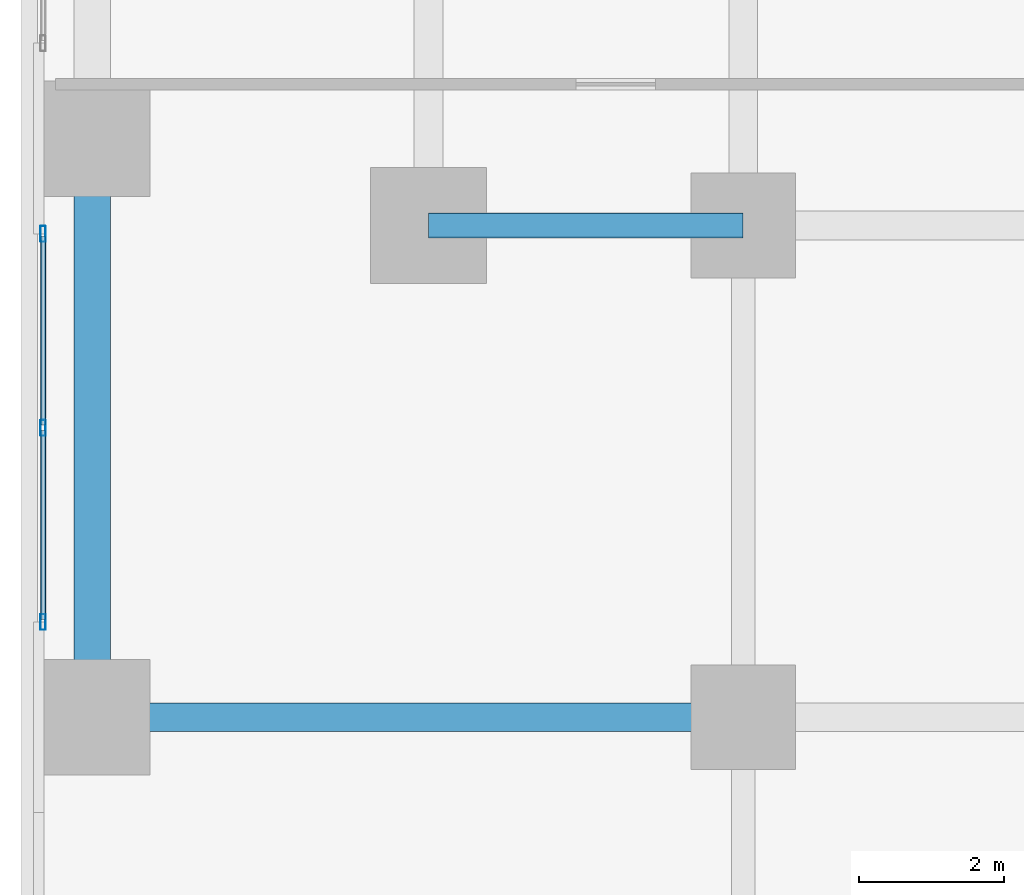
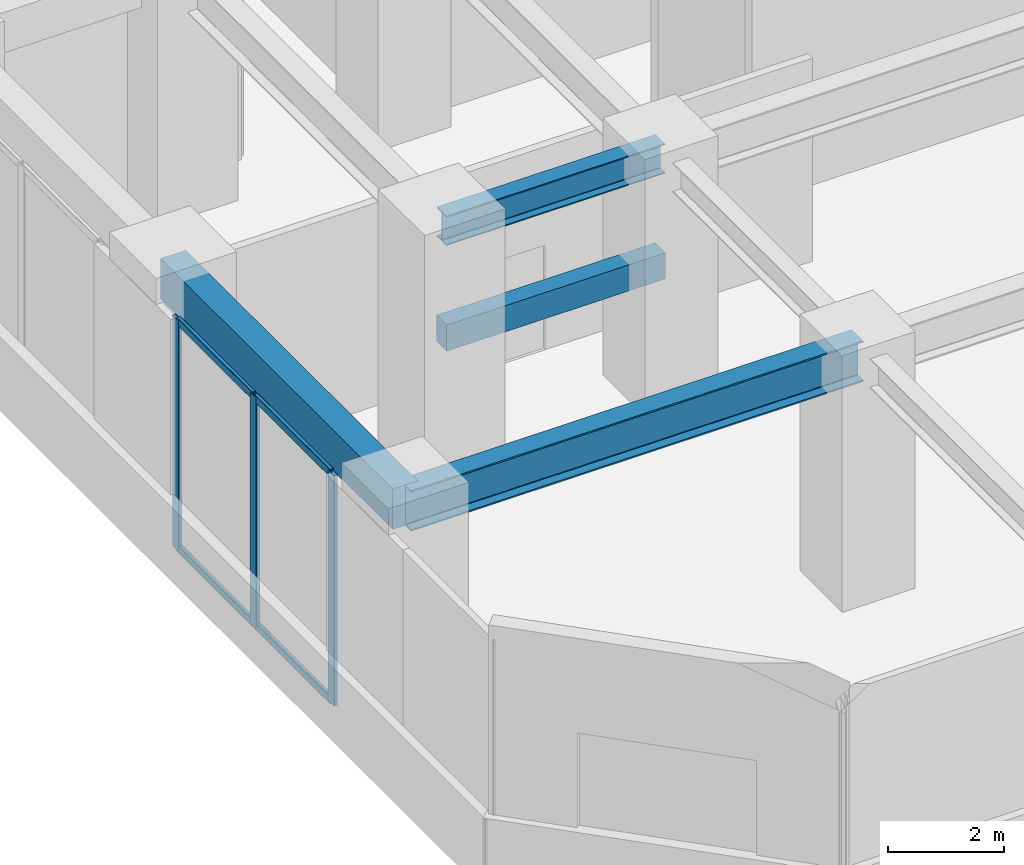
# One storey, part 3 of 33: 7 members, 4 beams, 1 element without a shape of its own.
"""IFC4 building model written with IfcOpenShell, lengths in metres."""

import ifcopenshell
import ifcopenshell.guid

model = None  # the IFC model being written
_history = None  # IfcOwnerHistory: only IFC2X3 demands one
_inside = {}  # id of a spatial element -> (the spatial element, [elements in it])
_under = {}  # id of a project, library or spatial element -> (it, [spatial elements below it])
_declared = {}  # id of a project -> (the project, [libraries it declares])
_typed = {}  # id of a type object -> (the type object, [elements of that type])
_made_of = {}  # id of a material, layer set ... -> (it, [elements and type objects made of it])


def new_model(schema):
    """Start an empty IFC model of exactly this schema.

    Asked for "IFC4X3", IfcOpenShell would pick the latest addendum, in which some entities
    have other attributes; the version numbers below select the first issue.
    IFC2X3 requires an IfcOwnerHistory on every rooted entity: one is made here for all.
    """
    global model, _history
    if schema == "IFC4X3":
        model = ifcopenshell.file(schema_version=(4, 3, 0, 0))
    else:
        model = ifcopenshell.file(schema=schema)
    _inside.clear()
    _under.clear()
    _declared.clear()
    _typed.clear()
    _made_of.clear()
    _history = None
    if model.schema == "IFC2X3":
        org = make("IfcOrganization", Name="unknown")
        user = make(
            "IfcPersonAndOrganization",
            ThePerson=make("IfcPerson", FamilyName="unknown"),
            TheOrganization=org,
        )
        app = make(
            "IfcApplication",
            ApplicationDeveloper=org,
            Version="unknown",
            ApplicationFullName="unknown",
            ApplicationIdentifier="unknown",
        )
        _history = make(
            "IfcOwnerHistory",
            OwningUser=user,
            OwningApplication=app,
            ChangeAction="ADDED",
            CreationDate=0,
        )
    return model


def make(cls, **values):
    """One entity of the class cls with the attributes given. An attribute that is None is left unset."""
    return model.create_entity(
        cls, **{name: value for name, value in values.items() if value is not None}
    )


def rooted(cls, **values):
    """An entity with a GlobalId (a new one), such as an element, a storey or a relation."""
    return make(cls, GlobalId=ifcopenshell.guid.new(), OwnerHistory=_history, **values)


def si_unit(unit_type, name, prefix=None):
    """IfcSIUnit, for example si_unit("LENGTHUNIT", "METRE", prefix="MILLI")."""
    return make("IfcSIUnit", UnitType=unit_type, Prefix=prefix, Name=name)


def assignment(units):
    """IfcUnitAssignment: the units of a project."""
    return None if units is None else make("IfcUnitAssignment", Units=units)


def point(xyz):
    """IfcCartesianPoint."""
    return None if xyz is None else make("IfcCartesianPoint", Coordinates=xyz)


def direction(xyz):
    """IfcDirection."""
    return None if xyz is None else make("IfcDirection", DirectionRatios=xyz)


def frame(location, z_axis=None, x_axis=None):
    """IfcAxis2Placement3D, a coordinate frame: its origin and axes. An axis left out is left unset."""
    return make(
        "IfcAxis2Placement3D",
        Location=point(location),
        Axis=direction(z_axis),
        RefDirection=direction(x_axis),
    )


def frame_2d(location, x_axis=None):
    """IfcAxis2Placement2D, a coordinate frame in the plane: its origin and x axis."""
    return make(
        "IfcAxis2Placement2D", Location=point(location), RefDirection=direction(x_axis)
    )


def origin():
    """The frame at (0, 0, 0) with its axes left unset."""
    return frame((0.0, 0.0, 0.0))


def origin_2d():
    """The frame at (0, 0) in the plane with its x axis left unset."""
    return frame_2d((0.0, 0.0))


def place(relative_to, where):
    """IfcLocalPlacement: puts the frame where relative to a parent placement (None: the world)."""
    return make(
        "IfcLocalPlacement", PlacementRelTo=relative_to, RelativePlacement=where
    )


def context(
    kind, dimensions, precision=None, world=None, true_north=None, identifier=None
):
    """IfcGeometricRepresentationContext, for example the 3D "Model" context."""
    return make(
        "IfcGeometricRepresentationContext",
        ContextIdentifier=identifier,
        ContextType=kind,
        CoordinateSpaceDimension=dimensions,
        Precision=precision,
        WorldCoordinateSystem=world,
        TrueNorth=true_north,
    )


def subcontext(parent, identifier, kind, view, scale=None):
    """IfcGeometricRepresentationSubContext, for example "Body" below "Model"."""
    return make(
        "IfcGeometricRepresentationSubContext",
        ContextIdentifier=identifier,
        ContextType=kind,
        ParentContext=parent,
        TargetScale=scale,
        TargetView=view,
    )


def project(units=None, contexts=None):
    """IfcProject with its units and contexts."""
    return rooted(
        "IfcProject",
        Name="project",
        RepresentationContexts=contexts,
        UnitsInContext=assignment(units),
    )


def spatial(cls, under=None, at=None, **own):
    """A site, building, storey or space (cls), placed at a placement, below another one or the project."""
    s = rooted(cls, ObjectPlacement=at, **own)
    if under is not None:
        _under.setdefault(under.id(), (under, []))[1].append(s)
    return s


def profile(cls, at=None, kind="AREA", **sizes):
    """A parametric profile (cls). Its sizes go by their IFC names, for example OverallWidth=200.0."""
    return make(cls, ProfileType=kind, Position=at, **sizes)


def rectangle(**sizes):
    """IfcRectangleProfileDef."""
    return profile("IfcRectangleProfileDef", **sizes)


def hollow_rectangle(**sizes):
    """IfcRectangleHollowProfileDef."""
    return profile("IfcRectangleHollowProfileDef", **sizes)


def i_section(**sizes):
    """IfcIShapeProfileDef."""
    return profile("IfcIShapeProfileDef", **sizes)


def extrude(swept, where, along, depth):
    """IfcExtrudedAreaSolid: the profile swept, set in the frame where, extruded along a direction by depth."""
    return make(
        "IfcExtrudedAreaSolid",
        SweptArea=swept,
        Position=where,
        ExtrudedDirection=direction(along),
        Depth=depth,
    )


def shape(context_of_items, identifier, shape_type, items):
    """IfcShapeRepresentation: the items that make up one representation, for example the "Body"."""
    return make(
        "IfcShapeRepresentation",
        ContextOfItems=context_of_items,
        RepresentationIdentifier=identifier,
        RepresentationType=shape_type,
        Items=items,
    )


def source(mapping_origin, context_of_items, identifier, shape_type, items):
    """IfcRepresentationMap: a shape defined once, which mapped items show again and again."""
    return make(
        "IfcRepresentationMap",
        MappingOrigin=mapping_origin,
        MappedRepresentation=shape(context_of_items, identifier, shape_type, items),
    )


def transform(
    local_origin,
    x_axis=None,
    y_axis=None,
    z_axis=None,
    scale=None,
    scale2=None,
    scale3=None,
    uniform=True,
):
    """IfcCartesianTransformationOperator3D, or its non-uniform kind. x_axis, y_axis, z_axis: its Axis1, 2, 3."""
    if uniform:
        return make(
            "IfcCartesianTransformationOperator3D",
            Axis1=direction(x_axis),
            Axis2=direction(y_axis),
            LocalOrigin=point(local_origin),
            Scale=scale,
            Axis3=direction(z_axis),
        )
    return make(
        "IfcCartesianTransformationOperator3DnonUniform",
        Axis1=direction(x_axis),
        Axis2=direction(y_axis),
        LocalOrigin=point(local_origin),
        Scale=scale,
        Axis3=direction(z_axis),
        Scale2=scale2,
        Scale3=scale3,
    )


def mapped(mapping_source, mapping_target):
    """IfcMappedItem: shows the shape of a source again, moved by a transform."""
    return make(
        "IfcMappedItem", MappingSource=mapping_source, MappingTarget=mapping_target
    )


def material(Name=None, Category=None):
    """IfcMaterial."""
    return make("IfcMaterial", Name=Name, Category=Category)


def material_profile(
    of_material, cross_section, Name=None, Category=None, Priority=None
):
    """IfcMaterialProfile: a cross section and its material."""
    return make(
        "IfcMaterialProfile",
        Name=Name,
        Material=of_material,
        Profile=cross_section,
        Priority=Priority,
        Category=Category,
    )


def profile_set(profiles, Name=None, composite=None):
    """IfcMaterialProfileSet."""
    return make(
        "IfcMaterialProfileSet",
        Name=Name,
        MaterialProfiles=profiles,
        CompositeProfile=composite,
    )


def made_of(thing, what):
    """Note that an element or type object is made of a material, layer set ...; save() writes the relation."""
    if what is not None:
        _made_of.setdefault(what.id(), (what, []))[1].append(thing)
    return thing


def type_object(cls, material=None, **own):
    """A type object (cls), such as IfcWallType, which elements share."""
    return made_of(rooted(cls, **own), material)


def element(
    cls,
    number,
    at=None,
    inside=None,
    cuts=None,
    type_object=None,
    material=None,
    context=None,
    identifier="Body",
    shape_type=None,
    held_by="IfcProductDefinitionShape",
    body=None,
    shapes=None,
    **own,
):
    """One element of the class cls, such as IfcWall. Its Tag is "e" and its number.

    at: its placement. inside: the storey or other place that contains it. cuts: it is an
    opening in that element (IfcRelVoidsElement). A single representation is given by context,
    identifier, shape_type and body (its items); several are given by shapes. held_by: the class
    of the entity that holds the representations. save() writes the other relations.
    """
    e = rooted(cls, Tag="e%d" % number, ObjectPlacement=at, **own)
    if body is not None:
        shapes = [shape(context, identifier, shape_type, body)]
    if shapes is not None:
        e.Representation = make(held_by, Representations=shapes)
    if inside is not None:
        _inside.setdefault(inside.id(), (inside, []))[1].append(e)
    if cuts is not None:
        rooted(
            "IfcRelVoidsElement", RelatingBuildingElement=cuts, RelatedOpeningElement=e
        )
    if type_object is not None:
        _typed.setdefault(type_object.id(), (type_object, []))[1].append(e)
    return made_of(e, material)


def aggregate(whole, parts):
    """IfcRelAggregates: a whole, such as a stair, and the parts it consists of."""
    return rooted("IfcRelAggregates", RelatingObject=whole, RelatedObjects=parts)


def save(model, path):
    """Write the relations noted so far, then the file.

    IfcRelAggregates (storeys below a building ...), IfcRelContainedInSpatialStructure (elements
    in a storey), IfcRelDefinesByType, IfcRelAssociatesMaterial and IfcRelDeclares: one each for
    every whole, place, type object, material and project.
    """
    for whole, parts in _under.values():
        aggregate(whole, parts)
    for where, things in _inside.values():
        rooted(
            "IfcRelContainedInSpatialStructure",
            RelatedElements=things,
            RelatingStructure=where,
        )
    for kind, things in _typed.values():
        rooted("IfcRelDefinesByType", RelatedObjects=things, RelatingType=kind)
    for what, things in _made_of.values():
        rooted("IfcRelAssociatesMaterial", RelatedObjects=things, RelatingMaterial=what)
    for by, libraries in _declared.values():
        rooted("IfcRelDeclares", RelatingContext=by, RelatedDefinitions=libraries)
    model.write(path)


model = new_model("IFC4")

# Units and contexts
model_context = context("Model", 3, precision=1e-05, world=origin(), true_north=direction((0.0, 1.0)))
body_context = subcontext(model_context, "Body", "Model", "MODEL_VIEW")
ifc_project = project(units=[si_unit("LENGTHUNIT", "METRE"), si_unit("AREAUNIT", "SQUARE_METRE"), si_unit("VOLUMEUNIT", "CUBIC_METRE"), si_unit("PLANEANGLEUNIT", "RADIAN"), si_unit("MASSUNIT", "GRAM", prefix="KILO")], contexts=[model_context])

# Site, building, storey
site_placement = place(None, origin())
site = spatial("IfcSite", under=ifc_project, at=site_placement, CompositionType="ELEMENT")
building_placement = place(site_placement, origin())
building = spatial("IfcBuilding", under=site, at=building_placement, Name="Torre Montelarca", CompositionType="ELEMENT")
storey_placement = place(building_placement, frame((0.0, 0.0, 12.0)))
storey = spatial("IfcBuildingStorey", under=building, at=storey_placement, Name="L03", CompositionType="ELEMENT", Elevation=12.0)

# Beams
ifc_material_1 = material(Name="Steel ASTM A992 Grade 50", Category="steel")
ifc_material_profile_1 = material_profile(ifc_material_1, i_section(OverallWidth=0.39990234375, OverallDepth=0.85498046875, WebThickness=0.018310546875, FlangeThickness=0.029296875, FilletRadius=0.02001953125, at=origin_2d()), Name="W840X299", Category="steel")
ifc_profile_set_1 = profile_set([ifc_material_profile_1], Name="Steel ASTM A992 Grade 50")
beam_type_1 = type_object("IfcBeamType", Name="BM-G-W840", PredefinedType="BEAM", material=ifc_profile_set_1)
shared_shape_1 = source(origin(), body_context, "Body", "SweptSolid", [
    extrude(i_section(OverallWidth=0.39990234375, OverallDepth=0.85498046875, WebThickness=0.018310546875, FlangeThickness=0.029296875, FilletRadius=0.02001953125, at=origin_2d()), origin(), (0.0, 0.0, 1.0), 9.0),
])
beam_1_placement = place(storey_placement, frame((0.0, 8.0, 4.7119140625), z_axis=(1.0, 0.0, 0.0), x_axis=(0.0, 1.0, 0.0)))
element("IfcBeam", 1, at=beam_1_placement, inside=storey, type_object=beam_type_1, Name="L03 Grid Girder X 0.0-9.0 at Y=8.0", PredefinedType="BEAM", context=body_context, shape_type="MappedRepresentation", body=[
    mapped(shared_shape_1, transform((0.0, 0.0, 0.0), scale=1.0)),
])
ifc_material_profile_2 = material_profile(ifc_material_1, i_section(OverallWidth=0.326904296875, OverallDepth=0.6220703125, WebThickness=0.015380859375, FlangeThickness=0.0244140625, FilletRadius=0.014892578125, at=origin_2d()), Name="W610X195", Category="steel")
ifc_profile_set_2 = profile_set([ifc_material_profile_2], Name="Steel ASTM A992 Grade 50")
beam_type_2 = type_object("IfcBeamType", Name="BM-G-W610H", PredefinedType="BEAM", material=ifc_profile_set_2)
shared_shape_2 = source(origin(), body_context, "Body", "SweptSolid", [
    extrude(i_section(OverallWidth=0.326904296875, OverallDepth=0.6220703125, WebThickness=0.015380859375, FlangeThickness=0.0244140625, FilletRadius=0.014892578125, at=origin_2d()), origin(), (0.0, 0.0, 1.0), 4.35009765625),
])
beam_2_placement = place(storey_placement, frame((4.64990234375, 14.800048828125, 4.8291015625), z_axis=(1.0, 0.0, 0.0), x_axis=(0.0, 1.0, 0.0)))
element("IfcBeam", 2, at=beam_2_placement, inside=storey, type_object=beam_type_2, Name="L03 Grid Girder X 4.7-9.0 at Y=14.8", PredefinedType="BEAM", context=body_context, shape_type="MappedRepresentation", body=[
    mapped(shared_shape_2, transform((0.0, 0.0, 0.0), scale=1.0)),
])
ifc_material_2 = material(Name="Concrete C55/67", Category="concrete")
ifc_material_profile_3 = material_profile(ifc_material_2, rectangle(XDim=0.5, YDim=0.85009765625, at=origin_2d()), Name="RCB500X850", Category="concrete")
ifc_profile_set_3 = profile_set([ifc_material_profile_3], Name="Concrete C55/67")
beam_type_3 = type_object("IfcBeamType", Name="BM-SP-RC850-EXT", PredefinedType="SPANDREL", material=ifc_profile_set_3)
shared_shape_3 = source(origin(), body_context, "Body", "SweptSolid", [
    extrude(rectangle(XDim=0.5, YDim=0.85009765625, at=origin_2d()), origin(), (0.0, 0.0, 1.0), 8.0),
])
beam_3_placement = place(storey_placement, frame((0.0, 8.0, 4.715087890625), z_axis=(0.0, 1.0, 0.0), x_axis=(-1.0, 0.0, 0.0)))
element("IfcBeam", 3, at=beam_3_placement, inside=storey, type_object=beam_type_3, Name="L03 Grid Girder Y 8.0-16.0 at X=0.0", PredefinedType="SPANDREL", context=body_context, shape_type="MappedRepresentation", body=[
    mapped(shared_shape_3, transform((0.0, 0.0, 0.0), scale=1.0)),
])
ifc_material_profile_4 = material_profile(ifc_material_2, rectangle(XDim=0.35009765625, YDim=0.550048828125, at=origin_2d()), Name="RCB350X550", Category="concrete")
ifc_profile_set_4 = profile_set([ifc_material_profile_4], Name="Concrete C55/67")
beam_type_4 = type_object("IfcBeamType", Name="BM-LN-RC550", PredefinedType="LINTEL", material=ifc_profile_set_4)
shared_shape_4 = source(origin(), body_context, "Body", "SweptSolid", [
    extrude(rectangle(XDim=0.35009765625, YDim=0.550048828125, at=origin_2d()), origin(), (0.0, 0.0, 1.0), 4.35009765625),
])
beam_4_placement = place(storey_placement, frame((4.64990234375, 14.800048828125, 2.580078125), z_axis=(1.0, 0.0, 0.0), x_axis=(0.0, 1.0, 0.0)))
element("IfcBeam", 4, at=beam_4_placement, inside=storey, type_object=beam_type_4, Name="L03 Gallery Header Lintel Beam", PredefinedType="LINTEL", context=body_context, shape_type="MappedRepresentation", body=[
    mapped(shared_shape_4, transform((0.0, 0.0, 0.0), scale=1.0)),
])

# Curtain wall, members
ifc_material_3 = material(Name="Insulated low-E laminated glass", Category="glass")
curtain_wall_type = type_object("IfcCurtainWallType", Name="CW-SYS-POD2", PredefinedType="USERDEFINED", material=ifc_material_3)
curtain_wall_placement = place(storey_placement, origin())
curtain_wall = element("IfcCurtainWall", 5, at=curtain_wall_placement, inside=storey, type_object=curtain_wall_type, Name="L03 Curtain Wall Run CW-T3-L03-E10-B4", ObjectType="UNITISED GLAZING", PredefinedType="USERDEFINED")
ifc_material_4 = material(Name="Anodised aluminium AA 6063-T6", Category="aluminium")
ifc_material_profile_5 = material_profile(ifc_material_4, hollow_rectangle(XDim=0.074951171875, YDim=0.159912109375, WallThickness=0.0048828125, InnerFilletRadius=0.0048828125, OuterFilletRadius=0.010009765625, at=origin_2d()), Name="ALU75X160X5", Category="aluminium")
ifc_profile_set_5 = profile_set([ifc_material_profile_5], Name="Anodised aluminium AA 6063-T6")
member_type_1 = type_object("IfcMemberType", Name="CWT-ALU160", PredefinedType="USERDEFINED", material=ifc_profile_set_5)
shared_shape_5 = source(origin(), body_context, "Body", "SweptSolid", [
    extrude(hollow_rectangle(XDim=0.074951171875, YDim=0.159912109375, WallThickness=0.0048828125, InnerFilletRadius=0.0048828125, OuterFilletRadius=0.010009765625, at=origin_2d()), origin(), (0.0, 0.0, 1.0), 2.607421875),
])
member_1_placement = place(storey_placement, frame((-0.679931640625, 14.64501953125, 0.03759765625), z_axis=(0.0, -1.0, 0.0), x_axis=(1.0, 0.0, 0.0)))
member_1 = element("IfcMember", 6, at=member_1_placement, type_object=member_type_1, Name="CW transom 1.1", ObjectType="TRANSOM", PredefinedType="USERDEFINED", context=body_context, shape_type="MappedRepresentation", body=[
    mapped(shared_shape_5, transform((0.0, 0.0, 0.0), scale=1.0)),
])
member_2_placement = place(storey_placement, frame((-0.679931640625, 14.64501953125, 4.8125), z_axis=(0.0, -1.0, 0.0), x_axis=(1.0, 0.0, 0.0)))
member_2 = element("IfcMember", 7, at=member_2_placement, type_object=member_type_1, Name="CW transom 1.2", ObjectType="TRANSOM", PredefinedType="USERDEFINED", context=body_context, shape_type="MappedRepresentation", body=[
    mapped(shared_shape_5, transform((0.0, 0.0, 0.0), scale=1.0)),
])
member_3_placement = place(storey_placement, frame((-0.679931640625, 11.96240234375, 0.03759765625), z_axis=(0.0, -1.0, 0.0), x_axis=(1.0, 0.0, 0.0)))
member_3 = element("IfcMember", 8, at=member_3_placement, type_object=member_type_1, Name="CW transom 2.1", ObjectType="TRANSOM", PredefinedType="USERDEFINED", context=body_context, shape_type="MappedRepresentation", body=[
    mapped(shared_shape_5, transform((0.0, 0.0, 0.0), scale=1.0)),
])
member_4_placement = place(storey_placement, frame((-0.679931640625, 11.96240234375, 4.8125), z_axis=(0.0, -1.0, 0.0), x_axis=(1.0, 0.0, 0.0)))
member_4 = element("IfcMember", 9, at=member_4_placement, type_object=member_type_1, Name="CW transom 2.2", ObjectType="TRANSOM", PredefinedType="USERDEFINED", context=body_context, shape_type="MappedRepresentation", body=[
    mapped(shared_shape_5, transform((0.0, 0.0, 0.0), scale=1.0)),
])
ifc_material_profile_6 = material_profile(ifc_material_4, hollow_rectangle(XDim=0.074951171875, YDim=0.219970703125, WallThickness=0.0048828125, InnerFilletRadius=0.0048828125, OuterFilletRadius=0.010009765625, at=origin_2d()), Name="ALU75X220X5", Category="aluminium")
ifc_profile_set_6 = profile_set([ifc_material_profile_6], Name="Anodised aluminium AA 6063-T6")
member_type_2 = type_object("IfcMemberType", Name="CWM-ALU220", PredefinedType="MULLION", material=ifc_profile_set_6)
shared_shape_6 = source(origin(), body_context, "Body", "SweptSolid", [
    extrude(hollow_rectangle(XDim=0.074951171875, YDim=0.219970703125, WallThickness=0.0048828125, InnerFilletRadius=0.0048828125, OuterFilletRadius=0.010009765625, at=origin_2d()), origin(), (0.0, 0.0, 1.0), 4.85009765625),
])
member_5_placement = place(storey_placement, frame((-0.679931640625, 14.6826171875, 0.0), z_axis=(0.0, 0.0, 1.0), x_axis=(1.0, 0.0, 0.0)))
member_5 = element("IfcMember", 10, at=member_5_placement, type_object=member_type_2, Name="CW mullion 1", PredefinedType="MULLION", context=body_context, shape_type="MappedRepresentation", body=[
    mapped(shared_shape_6, transform((0.0, 0.0, 0.0), scale=1.0)),
])
member_6_placement = place(storey_placement, frame((-0.679931640625, 12.0, 0.0), z_axis=(0.0, 0.0, 1.0), x_axis=(1.0, 0.0, 0.0)))
member_6 = element("IfcMember", 11, at=member_6_placement, type_object=member_type_2, Name="CW mullion 2", PredefinedType="MULLION", context=body_context, shape_type="MappedRepresentation", body=[
    mapped(shared_shape_6, transform((0.0, 0.0, 0.0), scale=1.0)),
])
member_7_placement = place(storey_placement, frame((-0.679931640625, 9.3173828125, 0.0), z_axis=(0.0, 0.0, 1.0), x_axis=(1.0, 0.0, 0.0)))
member_7 = element("IfcMember", 12, at=member_7_placement, type_object=member_type_2, Name="CW mullion 3", PredefinedType="MULLION", context=body_context, shape_type="MappedRepresentation", body=[
    mapped(shared_shape_6, transform((0.0, 0.0, 0.0), scale=1.0)),
])
aggregate(curtain_wall, [member_5, member_6, member_7, member_1, member_2, member_3, member_4])

save(model, "model.ifc")
